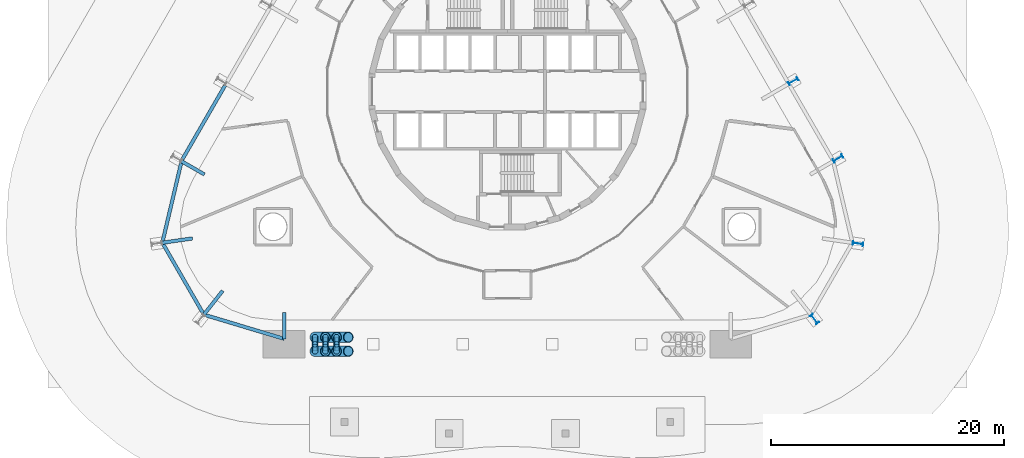
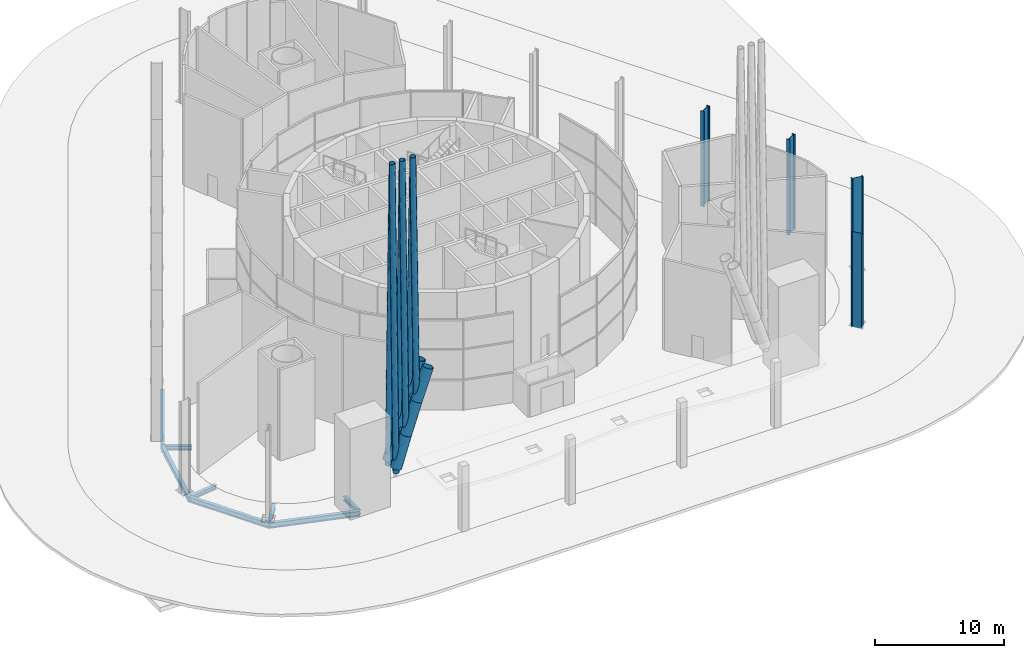
# One storey, part 3 of 21: 15 members, 8 beams, 4 columns.
"""IFC4 building model written with IfcOpenShell, lengths in metres."""

from ifc_helpers import new_model, si_unit, direction, frame, origin, origin_2d, place, context, subcontext, project, spatial, hollow_circle, i_section, extrude, material, material_profile, profile_set, type_object, element, save


model = new_model("IFC4")

# Units and contexts
model_context = context("Model", 3, precision=1e-05, world=origin(), true_north=direction((0.0, 1.0)))
body_context = subcontext(model_context, "Body", "Model", "MODEL_VIEW")
ifc_project = project(units=[si_unit("LENGTHUNIT", "METRE"), si_unit("AREAUNIT", "SQUARE_METRE"), si_unit("VOLUMEUNIT", "CUBIC_METRE"), si_unit("PLANEANGLEUNIT", "RADIAN"), si_unit("MASSUNIT", "GRAM", prefix="KILO")], contexts=[model_context])

# Site, building, storey
site_placement = place(None, origin())
site = spatial("IfcSite", under=ifc_project, at=site_placement, CompositionType="ELEMENT")
building_placement = place(site_placement, origin())
building = spatial("IfcBuilding", under=site, at=building_placement, Name="Spindle Arch Residences", CompositionType="ELEMENT")
storey_placement = place(building_placement, origin())
storey = spatial("IfcBuildingStorey", under=building, at=storey_placement, Name="L00", CompositionType="ELEMENT", Elevation=0.0)

# Columns
ifc_material_1 = material(Name="Steel S460ML, intumescent coating R 240", Category="steel")
ifc_material_profile_1 = material_profile(ifc_material_1, i_section(OverallWidth=0.300048828125, OverallDepth=0.89990234375, WebThickness=0.0185546875, FlangeThickness=0.034912109375, FilletRadius=0.030029296875, at=origin_2d()), Name="HEB 900")
ifc_profile_set_1 = profile_set([ifc_material_profile_1], Name="Steel S460ML, intumescent coating R 240")
column_type = type_object("IfcColumnType", Name="Exoskeleton post HEB 900", PredefinedType="COLUMN", material=ifc_profile_set_1)
for number, where, z_axis, x_axis, name in (
    (1, (26.3916015625, -19.565185546875, -0.419921875), (0.0, 0.0, 1.0), (-0.7856835335, -0.618628632693, 0.0), "Exoskeleton post 4"),
    (2, (30.139892578125, -13.0732421875, -0.419921875), (0.0, 0.0, 1.0), (-0.142906037553, -0.989736260036, 0.0), "Exoskeleton post 5"),
    (3, (28.418701171875, -5.762939453125, -0.419921875), (0.0, 0.0, 1.0), (0.50000017485, -0.866025302835, 0.0), "Exoskeleton post 6"),
    (4, (24.57861328125, 0.88818359375, -0.419921875), (0.0, 0.0, 1.0), (0.50000017485, -0.866025302835, 0.0), "Exoskeleton post 7"),
):
    element("IfcColumn", number, at=place(storey_placement, frame(where, z_axis=z_axis, x_axis=x_axis)), inside=storey, type_object=column_type, Name=name, PredefinedType="COLUMN", context=body_context, shape_type="SweptSolid", body=[
        extrude(i_section(OverallWidth=0.300048828125, OverallDepth=0.89990234375, WebThickness=0.0185546875, FlangeThickness=0.034912109375, FilletRadius=0.030029296875, at=origin_2d()), origin(), (0.0, 0.0, 1.0), 9.0400390625),
    ])

# Members
ifc_material_2 = material(Name="Steel S355J2, intumescent coating R 240", Category="steel")
ifc_material_profile_2 = material_profile(ifc_material_2, hollow_circle(Radius=0.25390625, WallThickness=0.02490234375, at=origin_2d()), Name="CHS 508x25")
ifc_profile_set_2 = profile_set([ifc_material_profile_2], Name="Steel S355J2, intumescent coating R 240")
member_type_1 = type_object("IfcMemberType", Name="Arch hanger CHS 508x25", PredefinedType="BRACE", material=ifc_profile_set_2)
member_1_placement = place(storey_placement, frame((-16.538818359375, -21.72998046875, 31.5419921875), z_axis=(0.0, -0.02073339447, -0.999785040073), x_axis=(1.0, 0.0, 0.0)))
element("IfcMember", 5, at=member_1_placement, inside=storey, type_object=member_type_1, Name="Arch hanger 1.1", PredefinedType="BRACE", context=body_context, shape_type="SweptSolid", body=[
    extrude(hollow_circle(Radius=0.25390625, WallThickness=0.02490234375, at=origin_2d()), origin(), (0.0, 0.0, 1.0), 28.931640625),
])
member_2_placement = place(storey_placement, frame((-15.642822265625, -21.72998046875, 31.5419921875), z_axis=(0.0, -0.023005129971, -0.999735346977), x_axis=(1.0, 0.0, 0.0)))
element("IfcMember", 6, at=member_2_placement, inside=storey, type_object=member_type_1, Name="Arch hanger 1.2", PredefinedType="BRACE", context=body_context, shape_type="SweptSolid", body=[
    extrude(hollow_circle(Radius=0.25390625, WallThickness=0.02490234375, at=origin_2d()), origin(), (0.0, 0.0, 1.0), 26.07470703125),
])
member_3_placement = place(storey_placement, frame((-14.685791015625, -21.72998046875, 31.5419921875), z_axis=(0.0, -0.025855872186, -0.999665681052), x_axis=(1.0, 0.0, 0.0)))
element("IfcMember", 7, at=member_3_placement, inside=storey, type_object=member_type_1, Name="Arch hanger 1.3", PredefinedType="BRACE", context=body_context, shape_type="SweptSolid", body=[
    extrude(hollow_circle(Radius=0.25390625, WallThickness=0.02490234375, at=origin_2d()), origin(), (0.0, 0.0, 1.0), 23.199951171875),
])
member_4_placement = place(storey_placement, frame((-16.538818359375, -21.72998046875, 31.5419921875), z_axis=(0.0, 0.020741829341, -0.999784865116), x_axis=(-1.0, 0.0, 0.0)))
element("IfcMember", 8, at=member_4_placement, inside=storey, type_object=member_type_1, Name="Arch hanger 2.1", PredefinedType="BRACE", context=body_context, shape_type="SweptSolid", body=[
    extrude(hollow_circle(Radius=0.25390625, WallThickness=0.02490234375, at=origin_2d()), origin(), (0.0, 0.0, 1.0), 28.931640625),
])
member_5_placement = place(storey_placement, frame((-15.642822265625, -21.72998046875, 31.5419921875), z_axis=(0.0, 0.02301448811, -0.999735131591), x_axis=(-1.0, 0.0, 0.0)))
element("IfcMember", 9, at=member_5_placement, inside=storey, type_object=member_type_1, Name="Arch hanger 2.2", PredefinedType="BRACE", context=body_context, shape_type="SweptSolid", body=[
    extrude(hollow_circle(Radius=0.25390625, WallThickness=0.02490234375, at=origin_2d()), origin(), (0.0, 0.0, 1.0), 26.07470703125),
])
member_6_placement = place(storey_placement, frame((-14.685791015625, -21.72998046875, 31.5419921875), z_axis=(0.0, 0.025866388497, -0.999665408997), x_axis=(-1.0, 0.0, 0.0)))
element("IfcMember", 10, at=member_6_placement, inside=storey, type_object=member_type_1, Name="Arch hanger 2.3", PredefinedType="BRACE", context=body_context, shape_type="SweptSolid", body=[
    extrude(hollow_circle(Radius=0.25390625, WallThickness=0.02490234375, at=origin_2d()), origin(), (0.0, 0.0, 1.0), 23.199951171875),
])
ifc_material_3 = material(Name="Steel S355J2, intumescent coating R 240", Category="steel")
ifc_material_profile_3 = material_profile(ifc_material_3, hollow_circle(Radius=0.45703125, WallThickness=0.050048828125, at=origin_2d()), Name="CHS 914x50")
ifc_profile_set_3 = profile_set([ifc_material_profile_3], Name="Steel S355J2, intumescent coating R 240")
member_type_2 = type_object("IfcMemberType", Name="Arch rib CHS 914x50", PredefinedType="MEMBER", material=ifc_profile_set_3)
member_7_placement = place(storey_placement, frame((-16.538818359375, -22.329833984375, 3.07373046875), z_axis=(0.299203270842, 0.0, 0.954189395622), x_axis=(0.0, 1.0, 0.0)))
element("IfcMember", 11, at=member_7_placement, inside=storey, type_object=member_type_2, Name="Arch rib 1.2", PredefinedType="MEMBER", context=body_context, shape_type="SweptSolid", body=[
    extrude(hollow_circle(Radius=0.45703125, WallThickness=0.050048828125, at=origin_2d()), origin(), (0.0, 0.0, 1.0), 2.99462890625),
])
member_8_placement = place(storey_placement, frame((-15.642822265625, -22.329833984375, 5.93115234375), z_axis=(0.315744442674, 0.0, 0.948844269056), x_axis=(0.0, 1.0, 0.0)))
element("IfcMember", 12, at=member_8_placement, inside=storey, type_object=member_type_2, Name="Arch rib 1.3", PredefinedType="MEMBER", context=body_context, shape_type="SweptSolid", body=[
    extrude(hollow_circle(Radius=0.45703125, WallThickness=0.050048828125, at=origin_2d()), origin(), (0.0, 0.0, 1.0), 3.031005859375),
])
member_9_placement = place(storey_placement, frame((-14.685791015625, -22.329833984375, 8.80712890625), z_axis=(0.335262444935, 0.0, 0.942124775715), x_axis=(0.0, 1.0, 0.0)))
element("IfcMember", 13, at=member_9_placement, inside=storey, type_object=member_type_2, Name="Arch rib 1.4", PredefinedType="MEMBER", context=body_context, shape_type="SweptSolid", body=[
    extrude(hollow_circle(Radius=0.45703125, WallThickness=0.050048828125, at=origin_2d()), origin(), (0.0, 0.0, 1.0), 3.010498046875),
])
member_10_placement = place(storey_placement, frame((-16.538818359375, -21.1298828125, 3.07373046875), z_axis=(0.299203270842, 0.0, 0.954189395622), x_axis=(0.0, 1.0, 0.0)))
element("IfcMember", 14, at=member_10_placement, inside=storey, type_object=member_type_2, Name="Arch rib 2.2", PredefinedType="MEMBER", context=body_context, shape_type="SweptSolid", body=[
    extrude(hollow_circle(Radius=0.45703125, WallThickness=0.050048828125, at=origin_2d()), origin(), (0.0, 0.0, 1.0), 2.99462890625),
])
member_11_placement = place(storey_placement, frame((-15.642822265625, -21.1298828125, 5.93115234375), z_axis=(0.315744442674, 0.0, 0.948844269056), x_axis=(0.0, 1.0, 0.0)))
element("IfcMember", 15, at=member_11_placement, inside=storey, type_object=member_type_2, Name="Arch rib 2.3", PredefinedType="MEMBER", context=body_context, shape_type="SweptSolid", body=[
    extrude(hollow_circle(Radius=0.45703125, WallThickness=0.050048828125, at=origin_2d()), origin(), (0.0, 0.0, 1.0), 3.031005859375),
])
member_12_placement = place(storey_placement, frame((-14.685791015625, -21.1298828125, 8.80712890625), z_axis=(0.335262444935, 0.0, 0.942124775715), x_axis=(0.0, 1.0, 0.0)))
element("IfcMember", 16, at=member_12_placement, inside=storey, type_object=member_type_2, Name="Arch rib 2.4", PredefinedType="MEMBER", context=body_context, shape_type="SweptSolid", body=[
    extrude(hollow_circle(Radius=0.45703125, WallThickness=0.050048828125, at=origin_2d()), origin(), (0.0, 0.0, 1.0), 3.010498046875),
])
ifc_material_4 = material(Name="Steel S355J2, intumescent coating R 240", Category="steel")
ifc_material_profile_4 = material_profile(ifc_material_4, hollow_circle(Radius=0.203125, WallThickness=0.02001953125, at=origin_2d()), Name="CHS 406.4x20")
ifc_profile_set_4 = profile_set([ifc_material_profile_4], Name="Steel S355J2, intumescent coating R 240")
member_type_3 = type_object("IfcMemberType", Name="Arch tie CHS 406.4x20", PredefinedType="MEMBER", material=ifc_profile_set_4)
for number, where, z_axis, x_axis, name in (
    (17, (-16.538818359375, -22.329833984375, 3.07373046875), (0.0, 1.0, 0.0), (-1.0, 0.0, 0.0), "Arch tie 1"),
    (18, (-15.642822265625, -22.329833984375, 5.93115234375), (0.0, 1.0, 0.0), (-1.0, 0.0, 0.0), "Arch tie 2"),
    (19, (-14.685791015625, -22.329833984375, 8.80712890625), (0.0, 1.0, 0.0), (-1.0, 0.0, 0.0), "Arch tie 3"),
):
    element("IfcMember", number, at=place(storey_placement, frame(where, z_axis=z_axis, x_axis=x_axis)), inside=storey, type_object=member_type_3, Name=name, PredefinedType="MEMBER", context=body_context, shape_type="SweptSolid", body=[
        extrude(hollow_circle(Radius=0.203125, WallThickness=0.02001953125, at=origin_2d()), origin(), (0.0, 0.0, 1.0), 1.199951171875),
    ])

# Beams
ifc_material_5 = material(Name="Steel S460ML, intumescent coating R 120", Category="steel")
ifc_material_profile_5 = material_profile(ifc_material_5, i_section(OverallWidth=0.300048828125, OverallDepth=0.5, WebThickness=0.014404296875, FlangeThickness=0.028076171875, FilletRadius=0.027099609375, at=origin_2d()), Name="HEB 500")
ifc_profile_set_5 = profile_set([ifc_material_profile_5], Name="Steel S460ML, intumescent coating R 120")
beam_type_1 = type_object("IfcBeamType", Name="Exoskeleton edge beam HEB 500", PredefinedType="BEAM", material=ifc_profile_set_5)
beam_1_placement = place(storey_placement, frame((-24.25390625, 0.550537109375, -0.949951171875), z_axis=(-0.50002815445, -0.866009148195, 0.0), x_axis=(0.866009148195, -0.50002815445, 0.0)))
element("IfcBeam", 20, at=beam_1_placement, inside=storey, type_object=beam_type_1, Name="Exoskeleton edge beam 18", PredefinedType="BEAM", context=body_context, shape_type="SweptSolid", body=[
    extrude(i_section(OverallWidth=0.300048828125, OverallDepth=0.5, WebThickness=0.014404296875, FlangeThickness=0.028076171875, FilletRadius=0.027099609375, at=origin_2d()), origin(), (0.0, 0.0, 1.0), 7.419921875),
])
beam_2_placement = place(storey_placement, frame((-28.006591796875, -5.974609375, -0.949951171875), z_axis=(-0.229185730541, -0.973382710406, 0.0), x_axis=(0.973382710406, -0.229185730541, 0.0)))
element("IfcBeam", 21, at=beam_2_placement, inside=storey, type_object=beam_type_1, Name="Exoskeleton edge beam 19", PredefinedType="BEAM", context=body_context, shape_type="SweptSolid", body=[
    extrude(i_section(OverallWidth=0.300048828125, OverallDepth=0.5, WebThickness=0.014404296875, FlangeThickness=0.028076171875, FilletRadius=0.027099609375, at=origin_2d()), origin(), (0.0, 0.0, 1.0), 7.25),
])
beam_3_placement = place(storey_placement, frame((-29.685302734375, -12.9609375, -0.949951171875), z_axis=(0.500025200273, -0.866010853911, 0.0), x_axis=(0.866010853911, 0.500025200273, 0.0)))
element("IfcBeam", 22, at=beam_3_placement, inside=storey, type_object=beam_type_1, Name="Exoskeleton edge beam 20", PredefinedType="BEAM", context=body_context, shape_type="SweptSolid", body=[
    extrude(i_section(OverallWidth=0.300048828125, OverallDepth=0.5, WebThickness=0.014404296875, FlangeThickness=0.028076171875, FilletRadius=0.027099609375, at=origin_2d()), origin(), (0.0, 0.0, 1.0), 7.236572265625),
])
beam_4_placement = place(storey_placement, frame((-26.119873046875, -19.177490234375, -0.949951171875), z_axis=(0.957564526429, -0.288218975303, 0.0), x_axis=(0.288218975303, 0.957564526429, 0.0)))
element("IfcBeam", 23, at=beam_4_placement, inside=storey, type_object=beam_type_1, Name="Exoskeleton edge beam 21", PredefinedType="BEAM", context=body_context, shape_type="SweptSolid", body=[
    extrude(i_section(OverallWidth=0.300048828125, OverallDepth=0.5, WebThickness=0.014404296875, FlangeThickness=0.028076171875, FilletRadius=0.027099609375, at=origin_2d()), origin(), (0.0, 0.0, 1.0), 7.25),
])
ifc_material_6 = material(Name="Steel S460ML, intumescent coating R 120", Category="steel")
ifc_material_profile_6 = material_profile(ifc_material_6, i_section(OverallWidth=0.300048828125, OverallDepth=0.389892578125, WebThickness=0.010986328125, FlangeThickness=0.01904296875, FilletRadius=0.027099609375, at=origin_2d()), Name="HEA 400")
ifc_profile_set_6 = profile_set([ifc_material_profile_6], Name="Steel S460ML, intumescent coating R 120")
beam_type_2 = type_object("IfcBeamType", Name="Floor outrigger HEA 400", PredefinedType="BEAM", material=ifc_profile_set_6)
beam_5_placement = place(storey_placement, frame((-28.029052734375, -5.98779296875, -0.89501953125), z_axis=(0.866001280077, -0.50004178116, 0.0), x_axis=(0.50004178116, 0.866001280077, 0.0)))
element("IfcBeam", 24, at=beam_5_placement, inside=storey, type_object=beam_type_2, Name="Floor outrigger 19", PredefinedType="BEAM", context=body_context, shape_type="SweptSolid", body=[
    extrude(i_section(OverallWidth=0.300048828125, OverallDepth=0.389892578125, WebThickness=0.010986328125, FlangeThickness=0.01904296875, FilletRadius=0.027099609375, at=origin_2d()), origin(), (0.0, 0.0, 1.0), 2.294189453125),
])
for number, where, z_axis, x_axis, name in (
    (25, (-29.694580078125, -13.009033203125, -0.89501953125), (0.989738348309, 0.142891573883, 0.0), (-0.142891573883, 0.989738348309, 0.0), "Floor outrigger 20"),
    (26, (-26.11328125, -19.211669921875, -0.89501953125), (0.618586231558, 0.785716917297, 0.0), (-0.785716917297, 0.618586231558, 0.0), "Floor outrigger 21"),
):
    element("IfcBeam", number, at=place(storey_placement, frame(where, z_axis=z_axis, x_axis=x_axis)), inside=storey, type_object=beam_type_2, Name=name, PredefinedType="BEAM", context=body_context, shape_type="SweptSolid", body=[
        extrude(i_section(OverallWidth=0.300048828125, OverallDepth=0.389892578125, WebThickness=0.010986328125, FlangeThickness=0.01904296875, FilletRadius=0.027099609375, at=origin_2d()), origin(), (0.0, 0.0, 1.0), 2.64990234375),
    ])
beam_6_placement = place(storey_placement, frame((-19.2001953125, -21.27978515625, -0.89501953125), z_axis=(0.0, 1.0, 0.0), x_axis=(-1.0, 0.0, 0.0)))
element("IfcBeam", 27, at=beam_6_placement, inside=storey, type_object=beam_type_2, Name="Floor outrigger 22", PredefinedType="BEAM", context=body_context, shape_type="SweptSolid", body=[
    extrude(i_section(OverallWidth=0.300048828125, OverallDepth=0.389892578125, WebThickness=0.010986328125, FlangeThickness=0.01904296875, FilletRadius=0.027099609375, at=origin_2d()), origin(), (0.0, 0.0, 1.0), 2.2939453125),
])

save(model, "model.ifc")
